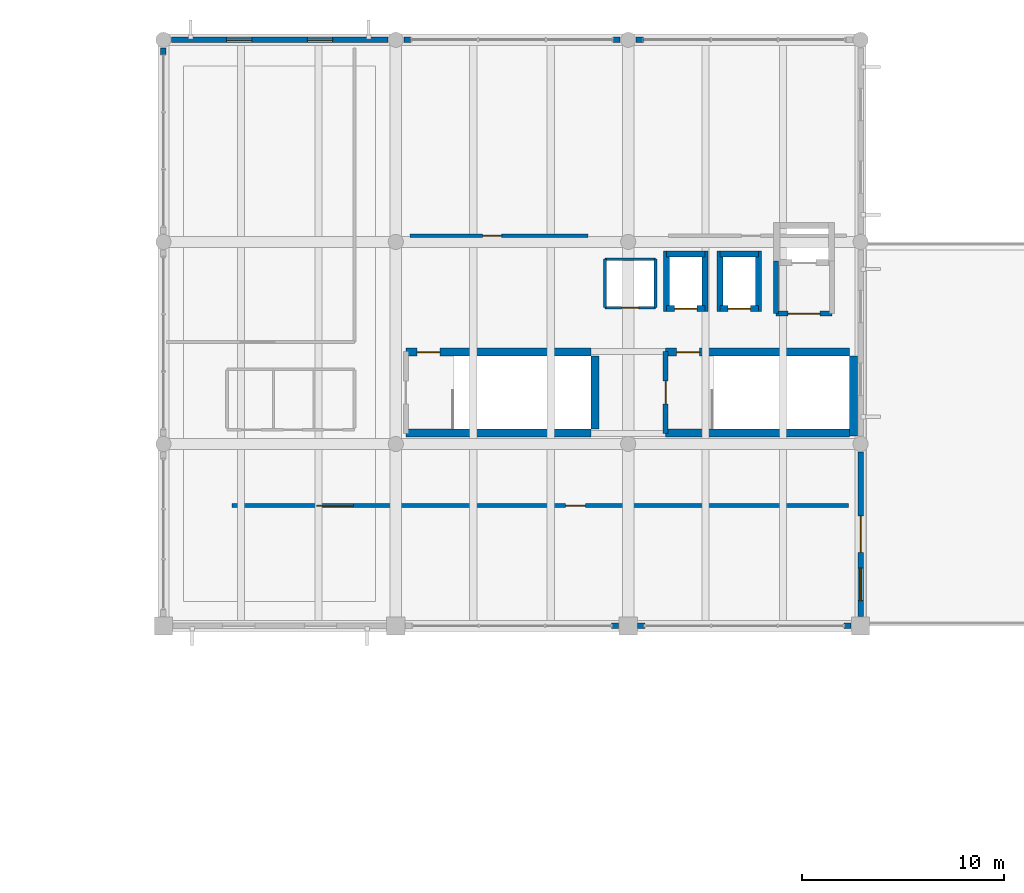
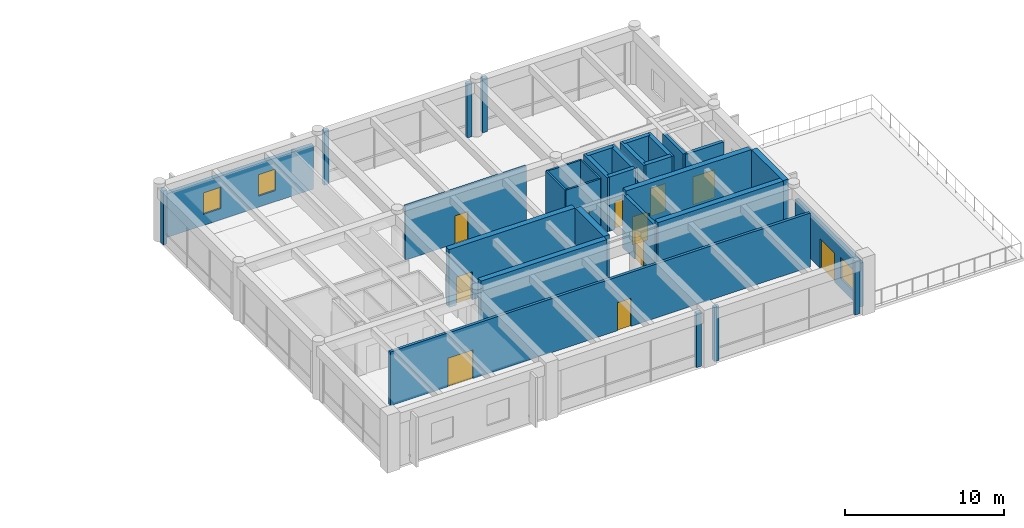
# One storey, part 23 of 27: 32 walls, 11 doors, 3 windows, 14 openings.
"""IFC4 building model written with IfcOpenShell, lengths in metres."""

from ifc_helpers import new_model, si_unit, direction, frame, frame_2d, origin, place, context, subcontext, project, spatial, rectangle, extrude, material, layer, layer_set, type_object, element, fill, save


model = new_model("IFC4")

# Units and contexts
model_context = context("Model", 3, precision=1e-05, world=origin(), true_north=direction((0.0, 1.0)))
body_context = subcontext(model_context, "Body", "Model", "MODEL_VIEW")
ifc_project = project(units=[si_unit("LENGTHUNIT", "METRE"), si_unit("AREAUNIT", "SQUARE_METRE"), si_unit("VOLUMEUNIT", "CUBIC_METRE"), si_unit("PLANEANGLEUNIT", "RADIAN"), si_unit("MASSUNIT", "GRAM", prefix="KILO")], contexts=[model_context])

# Site, building, storey
site_placement = place(None, origin())
site = spatial("IfcSite", under=ifc_project, at=site_placement, CompositionType="ELEMENT")
building_placement = place(site_placement, origin())
building = spatial("IfcBuilding", under=site, at=building_placement, Name="Ologun Quay Terminus", CompositionType="ELEMENT")
storey_placement = place(building_placement, frame((0.0, 0.0, 22.4599609375)))
storey = spatial("IfcBuildingStorey", under=building, at=storey_placement, Name="L05", CompositionType="ELEMENT", Elevation=22.4599609375)

# Wall, openings, doors
ifc_material_1 = material(Name="Concrete C40/50", Category="concrete")
ifc_layer_1 = layer(ifc_material_1, 0.199951171875)
ifc_layer_set_1 = layer_set([ifc_layer_1], Name="Concrete C40/50")
wall_type_1 = type_object("IfcWallType", Name="Corridor Fire-Rated Partition 200", PredefinedType="PARTITIONING", material=ifc_layer_set_1)
wall_1_placement = place(storey_placement, frame((118.39990234375, 91.75, 0.0), z_axis=(0.0, 0.0, 1.0), x_axis=(1.0, 0.0, 0.0)))
wall_1 = element("IfcWall", 1, at=wall_1_placement, inside=storey, type_object=wall_type_1, Name="PW-02 Partition ECor-S", PredefinedType="PARTITIONING", context=body_context, shape_type="SweptSolid", body=[
    extrude(rectangle(XDim=30.5, YDim=0.199951171875, at=frame_2d((15.25, 0.0))), origin(), (0.0, 0.0, 1.0), 4.14013671875),
])
opening_1_placement = place(wall_1_placement, frame((4.199951171875, 0.0, 0.0)))
opening_1 = element("IfcOpeningElement", 2, at=opening_1_placement, cuts=wall_1, Name="Opening ID-229", PredefinedType="OPENING", context=body_context, shape_type="SweptSolid", body=[
    extrude(rectangle(XDim=1.800048828125, YDim=2.199951171875, at=frame_2d((0.89990234375, 1.10009765625))), frame((0.0, 0.10986328125, 0.0), z_axis=(0.0, -1.0, 0.0), x_axis=(1.0, 0.0, 0.0)), (0.0, 0.0, 1.0), 0.219970703125),
])
opening_2_placement = place(wall_1_placement, frame((16.5, 0.0, 0.0)))
opening_2 = element("IfcOpeningElement", 3, at=opening_2_placement, cuts=wall_1, Name="Opening ID-230", PredefinedType="OPENING", context=body_context, shape_type="SweptSolid", body=[
    extrude(rectangle(XDim=0.97998046875, YDim=2.14990234375, at=frame_2d((0.489990234375, 1.074951171875))), frame((0.0, 0.10986328125, 0.0), z_axis=(0.0, -1.0, 0.0), x_axis=(1.0, 0.0, 0.0)), (0.0, 0.0, 1.0), 0.219970703125),
])
ifc_material_2 = material(Name="Steel S355", Category="steel")
door_type_1 = type_object("IfcDoorType", Name="Corridor Compartment Pair 1800x2200", OperationType="DOUBLE_DOOR_SINGLE_SWING", PredefinedType="DOOR", material=ifc_material_2)
door_1_placement = place(opening_1_placement, origin())
door_1 = element("IfcDoor", 4, at=door_1_placement, inside=storey, type_object=door_type_1, Name="FD-03 Door ID-229", OperationType="DOUBLE_DOOR_SINGLE_SWING", OverallHeight=2.199951171875, OverallWidth=1.800048828125, PredefinedType="DOOR", context=body_context, shape_type="SweptSolid", body=[
    extrude(rectangle(XDim=1.800048828125, YDim=2.199951171875, at=frame_2d((0.89990234375, 1.10009765625))), frame((0.0, 0.02490234375, 0.0), z_axis=(0.0, -1.0, 0.0), x_axis=(1.0, 0.0, 0.0)), (0.0, 0.0, 1.0), 0.050048828125),
])
fill(opening_1, door_1)
ifc_material_3 = material(Name="Timber Hardwood", Category="wood")
door_type_2 = type_object("IfcDoorType", Name="Operations Room Acoustic Leaf 980x2150", OperationType="SINGLE_SWING_LEFT", PredefinedType="DOOR", material=ifc_material_3)
door_2_placement = place(opening_2_placement, origin())
door_2 = element("IfcDoor", 5, at=door_2_placement, inside=storey, type_object=door_type_2, Name="ID-01 Door ID-230", OperationType="SINGLE_SWING_LEFT", OverallHeight=2.14990234375, OverallWidth=0.97998046875, PredefinedType="DOOR", context=body_context, shape_type="SweptSolid", body=[
    extrude(rectangle(XDim=0.97998046875, YDim=2.14990234375, at=frame_2d((0.489990234375, 1.074951171875))), frame((0.0, 0.02490234375, 0.0), z_axis=(0.0, -1.0, 0.0), x_axis=(1.0, 0.0, 0.0)), (0.0, 0.0, 1.0), 0.050048828125),
])
fill(opening_2, door_2)

# Wall
ifc_material_4 = material(Name="Concrete C40/50", Category="concrete")
ifc_layer_2 = layer(ifc_material_4, 0.39990234375)
ifc_layer_set_2 = layer_set([ifc_layer_2], Name="Concrete C40/50")
wall_type_2 = type_object("IfcWallType", Name="Coupled Wing Upper Core Shear Wall 400", PredefinedType="SHEAR", material=ifc_layer_set_2)
wall_2_placement = place(storey_placement, frame((127.0, 95.35009765625, 0.0), z_axis=(0.0, 0.0, 1.0), x_axis=(1.0, 0.0, 0.0)))
element("IfcWall", 6, at=wall_2_placement, inside=storey, type_object=wall_type_2, Name="EC1 Core South Shear Wall L05", PredefinedType="SHEAR", context=body_context, shape_type="SweptSolid", body=[
    extrude(rectangle(XDim=9.14990234375, YDim=0.39990234375, at=frame_2d((4.574951171875, 0.0))), origin(), (0.0, 0.0, 1.0), 4.43994140625),
])

# Wall, opening, door
wall_3_placement = place(storey_placement, frame((127.0, 99.35009765625, 0.0), z_axis=(0.0, 0.0, 1.0), x_axis=(1.0, 0.0, 0.0)))
wall_3 = element("IfcWall", 7, at=wall_3_placement, inside=storey, type_object=wall_type_2, Name="EC1 Core North Shear Wall L05", PredefinedType="SHEAR", context=body_context, shape_type="SweptSolid", body=[
    extrude(rectangle(XDim=9.14990234375, YDim=0.39990234375, at=frame_2d((4.574951171875, 0.0))), origin(), (0.0, 0.0, 1.0), 4.43994140625),
])
opening_3_placement = place(wall_3_placement, frame((0.550048828125, 0.0, 0.0)))
opening_3 = element("IfcOpeningElement", 8, at=opening_3_placement, cuts=wall_3, Name="Opening ID-221", PredefinedType="OPENING", context=body_context, shape_type="SweptSolid", body=[
    extrude(rectangle(XDim=1.1298828125, YDim=2.14990234375, at=frame_2d((0.56494140625, 1.074951171875))), frame((0.0, 0.2099609375, 0.0), z_axis=(0.0, -1.0, 0.0), x_axis=(1.0, 0.0, 0.0)), (0.0, 0.0, 1.0), 0.419921875),
])
ifc_material_5 = material(Name="Steel S355", Category="steel")
door_type_3 = type_object("IfcDoorType", Name="Stairwell Fire Escape Door 1130x2150", OperationType="SINGLE_SWING_LEFT", PredefinedType="DOOR", material=ifc_material_5)
door_3_placement = place(opening_3_placement, frame((0.56494140625, 0.0, 0.0), z_axis=(0.0, 0.0, 1.0), x_axis=(-1.0, 0.0, 0.0)))
door_3 = element("IfcDoor", 9, at=door_3_placement, inside=storey, type_object=door_type_3, Name="FD-01 Door ID-221", OperationType="SINGLE_SWING_LEFT", OverallHeight=2.14990234375, OverallWidth=1.1298828125, PredefinedType="DOOR", context=body_context, shape_type="SweptSolid", body=[
    extrude(rectangle(XDim=1.1298828125, YDim=2.14990234375, at=frame_2d((0.0, 1.074951171875))), frame((0.0, 0.02490234375, 0.0), z_axis=(0.0, -1.0, 0.0), x_axis=(1.0, 0.0, 0.0)), (0.0, 0.0, 1.0), 0.050048828125),
])
fill(opening_3, door_3)

# Walls
wall_4_placement = place(storey_placement, frame((136.35009765625, 95.550048828125, 0.0), z_axis=(0.0, 0.0, 1.0), x_axis=(0.0, 1.0, 0.0)))
element("IfcWall", 10, at=wall_4_placement, inside=storey, type_object=wall_type_2, Name="EC1 Core East Shear Wall L05", PredefinedType="SHEAR", context=body_context, shape_type="SweptSolid", body=[
    extrude(rectangle(XDim=3.599853515625, YDim=0.39990234375, at=frame_2d((1.7998046875, 0.0))), origin(), (0.0, 0.0, 1.0), 4.43994140625),
])
wall_5_placement = place(storey_placement, frame((139.85009765625, 95.35009765625, 0.0), z_axis=(0.0, 0.0, 1.0), x_axis=(1.0, 0.0, 0.0)))
element("IfcWall", 11, at=wall_5_placement, inside=storey, type_object=wall_type_2, Name="EC2 Core South Shear Wall L05", PredefinedType="SHEAR", context=body_context, shape_type="SweptSolid", body=[
    extrude(rectangle(XDim=9.099853515625, YDim=0.39990234375, at=frame_2d((4.5498046875, 0.0))), origin(), (0.0, 0.0, 1.0), 4.43994140625),
])

# Wall, opening, door
wall_6_placement = place(storey_placement, frame((139.85009765625, 99.35009765625, 0.0), z_axis=(0.0, 0.0, 1.0), x_axis=(1.0, 0.0, 0.0)))
wall_6 = element("IfcWall", 12, at=wall_6_placement, inside=storey, type_object=wall_type_2, Name="EC2 Core North Shear Wall L05", PredefinedType="SHEAR", context=body_context, shape_type="SweptSolid", body=[
    extrude(rectangle(XDim=9.099853515625, YDim=0.39990234375, at=frame_2d((4.5498046875, 0.0))), origin(), (0.0, 0.0, 1.0), 4.43994140625),
])
opening_4_placement = place(wall_6_placement, frame((0.550048828125, 0.0, 0.0)))
opening_4 = element("IfcOpeningElement", 13, at=opening_4_placement, cuts=wall_6, Name="Opening ID-223", PredefinedType="OPENING", context=body_context, shape_type="SweptSolid", body=[
    extrude(rectangle(XDim=1.1298828125, YDim=2.14990234375, at=frame_2d((0.56494140625, 1.074951171875))), frame((0.0, 0.2099609375, 0.0), z_axis=(0.0, -1.0, 0.0), x_axis=(1.0, 0.0, 0.0)), (0.0, 0.0, 1.0), 0.419921875),
])
door_4_placement = place(opening_4_placement, frame((0.56494140625, 0.0, 0.0), z_axis=(0.0, 0.0, 1.0), x_axis=(-1.0, 0.0, 0.0)))
door_4 = element("IfcDoor", 14, at=door_4_placement, inside=storey, type_object=door_type_3, Name="FD-01 Door ID-223", OperationType="SINGLE_SWING_LEFT", OverallHeight=2.14990234375, OverallWidth=1.1298828125, PredefinedType="DOOR", context=body_context, shape_type="SweptSolid", body=[
    extrude(rectangle(XDim=1.1298828125, YDim=2.14990234375, at=frame_2d((0.0, 1.074951171875))), frame((0.0, 0.02490234375, 0.0), z_axis=(0.0, -1.0, 0.0), x_axis=(1.0, 0.0, 0.0)), (0.0, 0.0, 1.0), 0.050048828125),
])
fill(opening_4, door_4)

# Walls
wall_7_placement = place(storey_placement, frame((149.14990234375, 95.195068359375, 0.0), z_axis=(0.0, 0.0, 1.0), x_axis=(0.0, 1.0, 0.0)))
element("IfcWall", 15, at=wall_7_placement, inside=storey, type_object=wall_type_2, Name="EC2 Core East Shear Wall L05", PredefinedType="SHEAR", context=body_context, shape_type="SweptSolid", body=[
    extrude(rectangle(XDim=3.954833984375, YDim=0.39990234375, at=frame_2d((1.9775390625, 0.0))), origin(), (0.0, 0.0, 1.0), 4.43994140625),
])
ifc_material_6 = material(Name="Concrete C40/50", Category="concrete")
ifc_layer_3 = layer(ifc_material_6, 0.280029296875)
ifc_layer_set_3 = layer_set([ifc_layer_3], Name="Concrete C40/50")
wall_type_3 = type_object("IfcWallType", Name="Courtyard Wing Spandrel Concrete Wall 280", PredefinedType="SOLIDWALL", material=ifc_layer_set_3)
for number, where, z_axis, x_axis, name in (
    (16, (137.179931640625, 85.800048828125, 0.0), (0.0, 0.0, 1.0), (1.0, 0.0, 0.0), "Curtain Wall Jamb Pier CW-L05-152-J2"),
    (17, (138.469970703125, 85.800048828125, 0.0), (0.0, 0.0, 1.0), (1.0, 0.0, 0.0), "Curtain Wall Jamb Pier CW-L05-153-J1"),
    (18, (148.679931640625, 85.800048828125, 0.0), (0.0, 0.0, 1.0), (1.0, 0.0, 0.0), "Curtain Wall Jamb Pier CW-L05-153-J2"),
):
    element("IfcWall", number, at=place(storey_placement, frame(where, z_axis=z_axis, x_axis=x_axis)), inside=storey, type_object=wall_type_3, Name=name, PredefinedType="SOLIDWALL", context=body_context, shape_type="SweptSolid", body=[
        extrude(rectangle(XDim=0.35009765625, YDim=0.280029296875, at=frame_2d((0.175048828125, 0.0))), origin(), (0.0, 0.0, 1.0), 4.150146484375),
    ])

# Wall, openings, window, door
wall_8_placement = place(storey_placement, frame((149.5, 86.27001953125, 0.0), z_axis=(0.0, 0.0, 1.0), x_axis=(0.0, 1.0, 0.0)))
wall_8 = element("IfcWall", 19, at=wall_8_placement, inside=storey, type_object=wall_type_3, Name="EW-02 Facade Wall WEW-EW-TER-L05-4", PredefinedType="SOLIDWALL", context=body_context, shape_type="SweptSolid", body=[
    extrude(rectangle(XDim=8.135009765625, YDim=0.280029296875, at=frame_2d((4.0673828125, 0.0))), origin(), (0.0, 0.0, 1.0), 3.360107421875),
])
opening_5_placement = place(wall_8_placement, frame((3.16748046875, 0.0, 0.0)))
opening_5 = element("IfcOpeningElement", 20, at=opening_5_placement, cuts=wall_8, Name="Opening ED-029", PredefinedType="OPENING", context=body_context, shape_type="SweptSolid", body=[
    extrude(rectangle(XDim=1.800048828125, YDim=2.25, at=frame_2d((0.89990234375, 1.125))), frame((0.0, 0.14990234375, 0.0), z_axis=(0.0, -1.0, 0.0), x_axis=(1.0, 0.0, 0.0)), (0.0, 0.0, 1.0), 0.300048828125),
])
opening_6_placement = place(wall_8_placement, frame((0.78369140625, 0.0, 0.780029296875)))
opening_6 = element("IfcOpeningElement", 21, at=opening_6_placement, cuts=wall_8, Name="Opening WN-444", PredefinedType="OPENING", context=body_context, shape_type="SweptSolid", body=[
    extrude(rectangle(XDim=1.60009765625, YDim=1.60009765625, at=frame_2d((0.800048828125, 0.800048828125))), frame((0.0, 0.14990234375, 0.0), z_axis=(0.0, -1.0, 0.0), x_axis=(1.0, 0.0, 0.0)), (0.0, 0.0, 1.0), 0.300048828125),
])
ifc_material_7 = material(Name="Glass", Category="glass")
window_type_1 = type_object("IfcWindowType", Name="Staff Canteen Casement Window 1600x1600", PartitioningType="SINGLE_PANEL", PredefinedType="WINDOW", material=ifc_material_7)
window_1_placement = place(opening_6_placement, origin())
window_1 = element("IfcWindow", 22, at=window_1_placement, inside=storey, type_object=window_type_1, Name="W-10 Window WN-444", OverallHeight=1.60009765625, OverallWidth=1.60009765625, PartitioningType="SINGLE_PANEL", PredefinedType="WINDOW", context=body_context, shape_type="SweptSolid", body=[
    extrude(rectangle(XDim=1.60009765625, YDim=1.60009765625, at=frame_2d((0.800048828125, 0.800048828125))), frame((0.0, 0.030029296875, 0.0), z_axis=(0.0, -1.0, 0.0), x_axis=(1.0, 0.0, 0.0)), (0.0, 0.0, 1.0), 0.06005859375),
])
fill(opening_6, window_1)
ifc_material_8 = material(Name="Glass", Category="glass")
door_type_4 = type_object("IfcDoorType", Name="Walkable Terrace Glazed Access Door 1800x2250", OperationType="DOUBLE_DOOR_SINGLE_SWING", PredefinedType="DOOR", material=ifc_material_8)
door_5_placement = place(opening_5_placement, frame((0.89990234375, 0.0, 0.0), z_axis=(0.0, 0.0, 1.0), x_axis=(-1.0, 0.0, 0.0)))
door_5 = element("IfcDoor", 23, at=door_5_placement, inside=storey, type_object=door_type_4, Name="D-05 Exterior Door ED-029", OperationType="DOUBLE_DOOR_SINGLE_SWING", OverallHeight=2.25, OverallWidth=1.800048828125, PredefinedType="DOOR", context=body_context, shape_type="SweptSolid", body=[
    extrude(rectangle(XDim=1.800048828125, YDim=2.25, at=frame_2d((0.0, 1.125))), frame((0.0, 0.02490234375, 0.0), z_axis=(0.0, -1.0, 0.0), x_axis=(1.0, 0.0, 0.0)), (0.0, 0.0, 1.0), 0.050048828125),
])
fill(opening_5, door_5)

# Wall, openings, windows
wall_9_placement = place(storey_placement, frame((115.39501953125, 114.800048828125, 0.0), z_axis=(0.0, 0.0, 1.0), x_axis=(1.0, 0.0, 0.0)))
wall_9 = element("IfcWall", 24, at=wall_9_placement, inside=storey, type_object=wall_type_3, Name="EW-02 Facade Wall WEW-EW-L05-7", PredefinedType="SOLIDWALL", context=body_context, shape_type="SweptSolid", body=[
    extrude(rectangle(XDim=10.7099609375, YDim=0.280029296875, at=frame_2d((5.35498046875, 0.0))), origin(), (0.0, 0.0, 1.0), 3.360107421875),
])
opening_7_placement = place(wall_9_placement, frame((2.73681640625, 0.0, 0.85009765625)))
opening_7 = element("IfcOpeningElement", 25, at=opening_7_placement, cuts=wall_9, Name="Opening WN-449", PredefinedType="OPENING", context=body_context, shape_type="SweptSolid", body=[
    extrude(rectangle(XDim=1.25, YDim=1.64990234375, at=frame_2d((0.625, 0.824951171875))), frame((0.0, 0.14990234375, 0.0), z_axis=(0.0, -1.0, 0.0), x_axis=(1.0, 0.0, 0.0)), (0.0, 0.0, 1.0), 0.300048828125),
])
opening_8_placement = place(wall_9_placement, frame((6.723388671875, 0.0, 0.85009765625)))
opening_8 = element("IfcOpeningElement", 26, at=opening_8_placement, cuts=wall_9, Name="Opening WN-450", PredefinedType="OPENING", context=body_context, shape_type="SweptSolid", body=[
    extrude(rectangle(XDim=1.25, YDim=1.64990234375, at=frame_2d((0.625, 0.824951171875))), frame((0.0, 0.14990234375, 0.0), z_axis=(0.0, -1.0, 0.0), x_axis=(1.0, 0.0, 0.0)), (0.0, 0.0, 1.0), 0.300048828125),
])
ifc_material_9 = material(Name="Glass", Category="glass")
window_type_2 = type_object("IfcWindowType", Name="Train Crew Quiet Room Window 1250x1650", PartitioningType="SINGLE_PANEL", PredefinedType="WINDOW", material=ifc_material_9)
window_2_placement = place(opening_7_placement, origin())
window_2 = element("IfcWindow", 27, at=window_2_placement, inside=storey, type_object=window_type_2, Name="W-26 Window WN-449", OverallHeight=1.64990234375, OverallWidth=1.25, PartitioningType="SINGLE_PANEL", PredefinedType="WINDOW", context=body_context, shape_type="SweptSolid", body=[
    extrude(rectangle(XDim=1.25, YDim=1.64990234375, at=frame_2d((0.625, 0.824951171875))), frame((0.0, 0.030029296875, 0.0), z_axis=(0.0, -1.0, 0.0), x_axis=(1.0, 0.0, 0.0)), (0.0, 0.0, 1.0), 0.06005859375),
])
fill(opening_7, window_2)
window_3_placement = place(opening_8_placement, origin())
window_3 = element("IfcWindow", 28, at=window_3_placement, inside=storey, type_object=window_type_2, Name="W-26 Window WN-450", OverallHeight=1.64990234375, OverallWidth=1.25, PartitioningType="SINGLE_PANEL", PredefinedType="WINDOW", context=body_context, shape_type="SweptSolid", body=[
    extrude(rectangle(XDim=1.25, YDim=1.64990234375, at=frame_2d((0.625, 0.824951171875))), frame((0.0, 0.030029296875, 0.0), z_axis=(0.0, -1.0, 0.0), x_axis=(1.0, 0.0, 0.0)), (0.0, 0.0, 1.0), 0.06005859375),
])
fill(opening_8, window_3)

# Walls
for number, where, z_axis, x_axis, name in (
    (29, (126.89501953125, 114.800048828125, 0.0), (0.0, 0.0, 1.0), (1.0, 0.0, 0.0), "Curtain Wall Jamb Pier CW-L05-154-J1"),
    (30, (137.2548828125, 114.800048828125, 0.0), (0.0, 0.0, 1.0), (1.0, 0.0, 0.0), "Curtain Wall Jamb Pier CW-L05-154-J2"),
    (31, (138.39501953125, 114.800048828125, 0.0), (0.0, 0.0, 1.0), (1.0, 0.0, 0.0), "Curtain Wall Jamb Pier CW-L05-155-J1"),
    (32, (115.0, 114.054931640625, 0.0), (0.0, 0.0, 1.0), (0.0, 1.0, 0.0), "Curtain Wall Jamb Pier CW-L05-158-J2"),
):
    element("IfcWall", number, at=place(storey_placement, frame(where, z_axis=z_axis, x_axis=x_axis)), inside=storey, type_object=wall_type_3, Name=name, PredefinedType="SOLIDWALL", context=body_context, shape_type="SweptSolid", body=[
        extrude(rectangle(XDim=0.35009765625, YDim=0.280029296875, at=frame_2d((0.175048828125, 0.0))), origin(), (0.0, 0.0, 1.0), 4.150146484375),
    ])

# Wall, opening, door
ifc_material_10 = material(Name="Concrete C40/50", Category="concrete")
ifc_layer_4 = layer(ifc_material_10, 0.239990234375)
ifc_layer_set_4 = layer_set([ifc_layer_4], Name="Concrete C40/50")
wall_type_4 = type_object("IfcWallType", Name="Fire Compartment Blockwork Wall 240", PredefinedType="SOLIDWALL", material=ifc_layer_set_4)
wall_10_placement = place(storey_placement, frame((139.85009765625, 95.330078125, 0.0), z_axis=(0.0, 0.0, 1.0), x_axis=(0.0, 1.0, 0.0)))
wall_10 = element("IfcWall", 33, at=wall_10_placement, inside=storey, type_object=wall_type_4, Name="PW-01 Partition EStair2-W", PredefinedType="SOLIDWALL", context=body_context, shape_type="SweptSolid", body=[
    extrude(rectangle(XDim=4.0400390625, YDim=0.239990234375, at=frame_2d((2.02001953125, 0.0))), origin(), (0.0, 0.0, 1.0), 4.14013671875),
])
opening_9_placement = place(wall_10_placement, frame((1.449951171875, 0.0, 0.0)))
opening_9 = element("IfcOpeningElement", 34, at=opening_9_placement, cuts=wall_10, Name="Opening ID-222", PredefinedType="OPENING", context=body_context, shape_type="SweptSolid", body=[
    extrude(rectangle(XDim=1.1298828125, YDim=2.14990234375, at=frame_2d((0.56494140625, 1.074951171875))), frame((0.0, 0.1298828125, 0.0), z_axis=(0.0, -1.0, 0.0), x_axis=(1.0, 0.0, 0.0)), (0.0, 0.0, 1.0), 0.260009765625),
])
door_6_placement = place(opening_9_placement, frame((0.56494140625, 0.0, 0.0), z_axis=(0.0, 0.0, 1.0), x_axis=(-1.0, 0.0, 0.0)))
door_6 = element("IfcDoor", 35, at=door_6_placement, inside=storey, type_object=door_type_3, Name="FD-01 Door ID-222", OperationType="SINGLE_SWING_LEFT", OverallHeight=2.14990234375, OverallWidth=1.1298828125, PredefinedType="DOOR", context=body_context, shape_type="SweptSolid", body=[
    extrude(rectangle(XDim=1.1298828125, YDim=2.14990234375, at=frame_2d((0.0, 1.074951171875))), frame((0.0, 0.02490234375, 0.0), z_axis=(0.0, -1.0, 0.0), x_axis=(1.0, 0.0, 0.0)), (0.0, 0.0, 1.0), 0.050048828125),
])
fill(opening_9, door_6)

wall_11_placement = place(storey_placement, frame((145.320068359375, 101.25, 0.0), z_axis=(0.0, 0.0, 1.0), x_axis=(1.0, 0.0, 0.0)))
wall_11 = element("IfcWall", 36, at=wall_11_placement, inside=storey, type_object=wall_type_4, Name="PW-01 Partition EFFL-S", PredefinedType="SOLIDWALL", context=body_context, shape_type="SweptSolid", body=[
    extrude(rectangle(XDim=2.760009765625, YDim=0.239990234375, at=frame_2d((1.3798828125, 0.0))), origin(), (0.0, 0.0, 1.0), 4.14013671875),
])
opening_10_placement = place(wall_11_placement, frame((0.580078125, 0.0, 0.0)))
opening_10 = element("IfcOpeningElement", 37, at=opening_10_placement, cuts=wall_11, Name="Opening ID-224", PredefinedType="OPENING", context=body_context, shape_type="SweptSolid", body=[
    extrude(rectangle(XDim=1.60009765625, YDim=2.14990234375, at=frame_2d((0.800048828125, 1.074951171875))), frame((0.0, 0.1298828125, 0.0), z_axis=(0.0, -1.0, 0.0), x_axis=(1.0, 0.0, 0.0)), (0.0, 0.0, 1.0), 0.260009765625),
])
ifc_material_11 = material(Name="Steel S355", Category="steel")
door_type_5 = type_object("IfcDoorType", Name="Firefighting Lobby Double Smoke Door 1600x2150", OperationType="DOUBLE_DOOR_SINGLE_SWING", PredefinedType="DOOR", material=ifc_material_11)
door_7_placement = place(opening_10_placement, origin())
door_7 = element("IfcDoor", 38, at=door_7_placement, inside=storey, type_object=door_type_5, Name="FD-02 Door ID-224", OperationType="DOUBLE_DOOR_SINGLE_SWING", OverallHeight=2.14990234375, OverallWidth=1.60009765625, PredefinedType="DOOR", context=body_context, shape_type="SweptSolid", body=[
    extrude(rectangle(XDim=1.60009765625, YDim=2.14990234375, at=frame_2d((0.800048828125, 1.074951171875))), frame((0.0, 0.02490234375, 0.0), z_axis=(0.0, -1.0, 0.0), x_axis=(1.0, 0.0, 0.0)), (0.0, 0.0, 1.0), 0.050048828125),
])
fill(opening_10, door_7)

# Wall
wall_12_placement = place(storey_placement, frame((145.320068359375, 101.25, 0.0), z_axis=(0.0, 0.0, 1.0), x_axis=(0.0, 1.0, 0.0)))
element("IfcWall", 39, at=wall_12_placement, inside=storey, type_object=wall_type_4, Name="PW-01 Partition EFFL-W", PredefinedType="SOLIDWALL", context=body_context, shape_type="SweptSolid", body=[
    extrude(rectangle(XDim=2.60009765625, YDim=0.239990234375, at=frame_2d((1.300048828125, 0.0))), origin(), (0.0, 0.0, 1.0), 4.14013671875),
])

# Wall, opening, door
ifc_material_12 = material(Name="Concrete C40/50", Category="concrete")
ifc_layer_5 = layer(ifc_material_12, 0.300048828125)
ifc_layer_set_5 = layer_set([ifc_layer_5], Name="Concrete C40/50")
wall_type_5 = type_object("IfcWallType", Name="Lift Shaft Structural Shear Wall 300", PredefinedType="SHEAR", material=ifc_layer_set_5)
wall_13_placement = place(storey_placement, frame((139.89990234375, 101.5, 0.0), z_axis=(0.0, 0.0, 1.0), x_axis=(1.0, 0.0, 0.0)))
wall_13 = element("IfcWall", 40, at=wall_13_placement, inside=storey, type_object=wall_type_5, Name="Lift PL-E1 Shaft Wall S L05", PredefinedType="SHEAR", context=body_context, shape_type="SweptSolid", body=[
    extrude(rectangle(XDim=1.900146484375, YDim=0.300048828125, at=frame_2d((0.9501953125, 0.0))), origin(), (0.0, 0.0, 1.0), 4.16015625),
])
opening_11_placement = place(wall_13_placement, frame((0.39990234375, 0.0, 0.0)))
opening_11 = element("IfcOpeningElement", 41, at=opening_11_placement, cuts=wall_13, Name="Opening ID-037", PredefinedType="OPENING", context=body_context, shape_type="SweptSolid", body=[
    extrude(rectangle(XDim=1.10009765625, YDim=2.14990234375, at=frame_2d((0.550048828125, 1.074951171875))), frame((0.0, 0.16015625, 0.0), z_axis=(0.0, -1.0, 0.0), x_axis=(1.0, 0.0, 0.0)), (0.0, 0.0, 1.0), 0.320068359375),
])
ifc_material_13 = material(Name="Steel S355", Category="steel")
door_type_6 = type_object("IfcDoorType", Name="Lift Landing Sliding Door 1100x2150", OperationType="SLIDING_TO_LEFT", PredefinedType="DOOR", material=ifc_material_13)
door_8_placement = place(opening_11_placement, origin())
door_8 = element("IfcDoor", 42, at=door_8_placement, inside=storey, type_object=door_type_6, Name="LD-01 Door ID-037", OperationType="SLIDING_TO_LEFT", OverallHeight=2.14990234375, OverallWidth=1.10009765625, PredefinedType="DOOR", context=body_context, shape_type="SweptSolid", body=[
    extrude(rectangle(XDim=1.10009765625, YDim=2.14990234375, at=frame_2d((0.550048828125, 1.074951171875))), frame((0.0, 0.02490234375, 0.0), z_axis=(0.0, -1.0, 0.0), x_axis=(1.0, 0.0, 0.0)), (0.0, 0.0, 1.0), 0.050048828125),
])
fill(opening_11, door_8)

# Walls
wall_14_placement = place(storey_placement, frame((139.89990234375, 104.199951171875, 0.0), z_axis=(0.0, 0.0, 1.0), x_axis=(1.0, 0.0, 0.0)))
element("IfcWall", 43, at=wall_14_placement, inside=storey, type_object=wall_type_5, Name="Lift PL-E1 Shaft Wall N L05", PredefinedType="SHEAR", context=body_context, shape_type="SweptSolid", body=[
    extrude(rectangle(XDim=1.900146484375, YDim=0.300048828125, at=frame_2d((0.9501953125, 0.0))), origin(), (0.0, 0.0, 1.0), 4.16015625),
])
for number, where, z_axis, x_axis, name in (
    (44, (139.89990234375, 101.35009765625, 0.0), (0.0, 0.0, 1.0), (0.0, 1.0, 0.0), "Lift PL-E1 Shaft Wall W L05"),
    (45, (141.800048828125, 101.35009765625, 0.0), (0.0, 0.0, 1.0), (0.0, 1.0, 0.0), "Lift PL-E1 Shaft Wall E L05"),
):
    element("IfcWall", number, at=place(storey_placement, frame(where, z_axis=z_axis, x_axis=x_axis)), inside=storey, type_object=wall_type_5, Name=name, PredefinedType="SHEAR", context=body_context, shape_type="SweptSolid", body=[
        extrude(rectangle(XDim=3.0, YDim=0.300048828125, at=frame_2d((1.5, 0.0))), origin(), (0.0, 0.0, 1.0), 4.16015625),
    ])

# Wall, opening, door
wall_15_placement = place(storey_placement, frame((142.550048828125, 101.5, 0.0), z_axis=(0.0, 0.0, 1.0), x_axis=(1.0, 0.0, 0.0)))
wall_15 = element("IfcWall", 46, at=wall_15_placement, inside=storey, type_object=wall_type_5, Name="Lift PL-E2 Shaft Wall S L05", PredefinedType="SHEAR", context=body_context, shape_type="SweptSolid", body=[
    extrude(rectangle(XDim=1.89990234375, YDim=0.300048828125, at=frame_2d((0.949951171875, 0.0))), origin(), (0.0, 0.0, 1.0), 4.16015625),
])
opening_12_placement = place(wall_15_placement, frame((0.39990234375, 0.0, 0.0)))
opening_12 = element("IfcOpeningElement", 47, at=opening_12_placement, cuts=wall_15, Name="Opening ID-045", PredefinedType="OPENING", context=body_context, shape_type="SweptSolid", body=[
    extrude(rectangle(XDim=1.10009765625, YDim=2.14990234375, at=frame_2d((0.550048828125, 1.074951171875))), frame((0.0, 0.16015625, 0.0), z_axis=(0.0, -1.0, 0.0), x_axis=(1.0, 0.0, 0.0)), (0.0, 0.0, 1.0), 0.320068359375),
])
door_9_placement = place(opening_12_placement, origin())
door_9 = element("IfcDoor", 48, at=door_9_placement, inside=storey, type_object=door_type_6, Name="LD-01 Door ID-045", OperationType="SLIDING_TO_LEFT", OverallHeight=2.14990234375, OverallWidth=1.10009765625, PredefinedType="DOOR", context=body_context, shape_type="SweptSolid", body=[
    extrude(rectangle(XDim=1.10009765625, YDim=2.14990234375, at=frame_2d((0.550048828125, 1.074951171875))), frame((0.0, 0.02490234375, 0.0), z_axis=(0.0, -1.0, 0.0), x_axis=(1.0, 0.0, 0.0)), (0.0, 0.0, 1.0), 0.050048828125),
])
fill(opening_12, door_9)

# Walls
wall_16_placement = place(storey_placement, frame((142.550048828125, 104.199951171875, 0.0), z_axis=(0.0, 0.0, 1.0), x_axis=(1.0, 0.0, 0.0)))
element("IfcWall", 49, at=wall_16_placement, inside=storey, type_object=wall_type_5, Name="Lift PL-E2 Shaft Wall N L05", PredefinedType="SHEAR", context=body_context, shape_type="SweptSolid", body=[
    extrude(rectangle(XDim=1.89990234375, YDim=0.300048828125, at=frame_2d((0.949951171875, 0.0))), origin(), (0.0, 0.0, 1.0), 4.16015625),
])
for number, where, z_axis, x_axis, name in (
    (50, (142.550048828125, 101.35009765625, 0.0), (0.0, 0.0, 1.0), (0.0, 1.0, 0.0), "Lift PL-E2 Shaft Wall W L05"),
    (51, (144.449951171875, 101.35009765625, 0.0), (0.0, 0.0, 1.0), (0.0, 1.0, 0.0), "Lift PL-E2 Shaft Wall E L05"),
):
    element("IfcWall", number, at=place(storey_placement, frame(where, z_axis=z_axis, x_axis=x_axis)), inside=storey, type_object=wall_type_5, Name=name, PredefinedType="SHEAR", context=body_context, shape_type="SweptSolid", body=[
        extrude(rectangle(XDim=3.0, YDim=0.300048828125, at=frame_2d((1.5, 0.0))), origin(), (0.0, 0.0, 1.0), 4.16015625),
    ])

# Wall, opening, door
ifc_material_14 = material(Name="Gypsum Acoustic Stud")
ifc_layer_6 = layer(ifc_material_14, 0.175048828125)
ifc_layer_set_6 = layer_set([ifc_layer_6], Name="Gypsum Acoustic Stud")
wall_type_6 = type_object("IfcWallType", Name="Operations & Control Acoustic Partition 175", PredefinedType="PARTITIONING", material=ifc_layer_set_6)
wall_17_placement = place(storey_placement, frame((127.199951171875, 105.10009765625, 0.0), z_axis=(0.0, 0.0, 1.0), x_axis=(1.0, 0.0, 0.0)))
wall_17 = element("IfcWall", 52, at=wall_17_placement, inside=storey, type_object=wall_type_6, Name="PW-03 Partition L05-QuietRest-S", PredefinedType="PARTITIONING", context=body_context, shape_type="SweptSolid", body=[
    extrude(rectangle(XDim=8.800048828125, YDim=0.175048828125, at=frame_2d((4.39990234375, 0.0))), origin(), (0.0, 0.0, 1.0), 4.14013671875),
])
opening_13_placement = place(wall_17_placement, frame((3.60009765625, 0.0, 0.0)))
opening_13 = element("IfcOpeningElement", 53, at=opening_13_placement, cuts=wall_17, Name="Opening ID-338", PredefinedType="OPENING", context=body_context, shape_type="SweptSolid", body=[
    extrude(rectangle(XDim=0.93994140625, YDim=2.14990234375, at=frame_2d((0.469970703125, 1.074951171875))), frame((0.0, 0.09765625, 0.0), z_axis=(0.0, -1.0, 0.0), x_axis=(1.0, 0.0, 0.0)), (0.0, 0.0, 1.0), 0.195068359375),
])
ifc_material_15 = material(Name="Timber Hardwood", Category="wood")
door_type_7 = type_object("IfcDoorType", Name="Quiet Rest Room Acoustic Door 940x2150", OperationType="SINGLE_SWING_LEFT", PredefinedType="DOOR", material=ifc_material_15)
door_10_placement = place(opening_13_placement, origin())
door_10 = element("IfcDoor", 54, at=door_10_placement, inside=storey, type_object=door_type_7, Name="ID-17 Door ID-338", OperationType="SINGLE_SWING_LEFT", OverallHeight=2.14990234375, OverallWidth=0.93994140625, PredefinedType="DOOR", context=body_context, shape_type="SweptSolid", body=[
    extrude(rectangle(XDim=0.93994140625, YDim=2.14990234375, at=frame_2d((0.469970703125, 1.074951171875))), frame((0.0, 0.02490234375, 0.0), z_axis=(0.0, -1.0, 0.0), x_axis=(1.0, 0.0, 0.0)), (0.0, 0.0, 1.0), 0.050048828125),
])
fill(opening_13, door_10)

ifc_material_16 = material(Name="Concrete C40/50", Category="concrete")
ifc_layer_7 = layer(ifc_material_16, 0.1298828125)
ifc_layer_set_7 = layer_set([ifc_layer_7], Name="Concrete C40/50")
wall_type_7 = type_object("IfcWallType", Name="Riser & Service Duct Wall 130", PredefinedType="PLUMBINGWALL", material=ifc_layer_set_7)
wall_18_placement = place(storey_placement, frame((136.85009765625, 101.550048828125, 0.0), z_axis=(0.0, 0.0, 1.0), x_axis=(1.0, 0.0, 0.0)))
wall_18 = element("IfcWall", 55, at=wall_18_placement, inside=storey, type_object=wall_type_7, Name="PW-07 Partition ERiser-S", PredefinedType="PLUMBINGWALL", context=body_context, shape_type="SweptSolid", body=[
    extrude(rectangle(XDim=2.5, YDim=0.1298828125, at=frame_2d((1.25, 0.0))), origin(), (0.0, 0.0, 1.0), 4.14013671875),
])
opening_14_placement = place(wall_18_placement, frame((0.820068359375, 0.0, 0.0)))
opening_14 = element("IfcOpeningElement", 56, at=opening_14_placement, cuts=wall_18, Name="Opening ID-225", PredefinedType="OPENING", context=body_context, shape_type="SweptSolid", body=[
    extrude(rectangle(XDim=0.85009765625, YDim=2.0, at=frame_2d((0.425048828125, 1.0))), frame((0.0, 0.074951171875, 0.0), z_axis=(0.0, -1.0, 0.0), x_axis=(1.0, 0.0, 0.0)), (0.0, 0.0, 1.0), 0.14990234375),
])
ifc_material_17 = material(Name="Steel S355", Category="steel")
door_type_8 = type_object("IfcDoorType", Name="MEP Riser Access Trapdoor 850x2000", OperationType="SINGLE_SWING_LEFT", PredefinedType="TRAPDOOR", material=ifc_material_17)
door_11_placement = place(opening_14_placement, origin())
door_11 = element("IfcDoor", 57, at=door_11_placement, inside=storey, type_object=door_type_8, Name="RD-01 Door ID-225", OperationType="SINGLE_SWING_LEFT", OverallHeight=2.0, OverallWidth=0.85009765625, PredefinedType="TRAPDOOR", context=body_context, shape_type="SweptSolid", body=[
    extrude(rectangle(XDim=0.85009765625, YDim=2.0, at=frame_2d((0.425048828125, 1.0))), frame((0.0, 0.02490234375, 0.0), z_axis=(0.0, -1.0, 0.0), x_axis=(1.0, 0.0, 0.0)), (0.0, 0.0, 1.0), 0.050048828125),
])
fill(opening_14, door_11)

# Walls
for number, where, z_axis, x_axis, name in (
    (58, (136.85009765625, 101.550048828125, 0.0), (0.0, 0.0, 1.0), (0.0, 1.0, 0.0), "PW-07 Partition ERiser-W"),
    (59, (139.35009765625, 101.550048828125, 0.0), (0.0, 0.0, 1.0), (0.0, 1.0, 0.0), "PW-07 Partition ERiser-E"),
):
    element("IfcWall", number, at=place(storey_placement, frame(where, z_axis=z_axis, x_axis=x_axis)), inside=storey, type_object=wall_type_7, Name=name, PredefinedType="PLUMBINGWALL", context=body_context, shape_type="SweptSolid", body=[
        extrude(rectangle(XDim=2.39990234375, YDim=0.1298828125, at=frame_2d((1.199951171875, 0.0))), origin(), (0.0, 0.0, 1.0), 4.14013671875),
    ])
wall_19_placement = place(storey_placement, frame((136.85009765625, 103.949951171875, 0.0), z_axis=(0.0, 0.0, 1.0), x_axis=(1.0, 0.0, 0.0)))
element("IfcWall", 60, at=wall_19_placement, inside=storey, type_object=wall_type_7, Name="PW-07 Partition ERiser-N", PredefinedType="PLUMBINGWALL", context=body_context, shape_type="SweptSolid", body=[
    extrude(rectangle(XDim=2.5, YDim=0.1298828125, at=frame_2d((1.25, 0.0))), origin(), (0.0, 0.0, 1.0), 4.14013671875),
])

save(model, "model.ifc")
